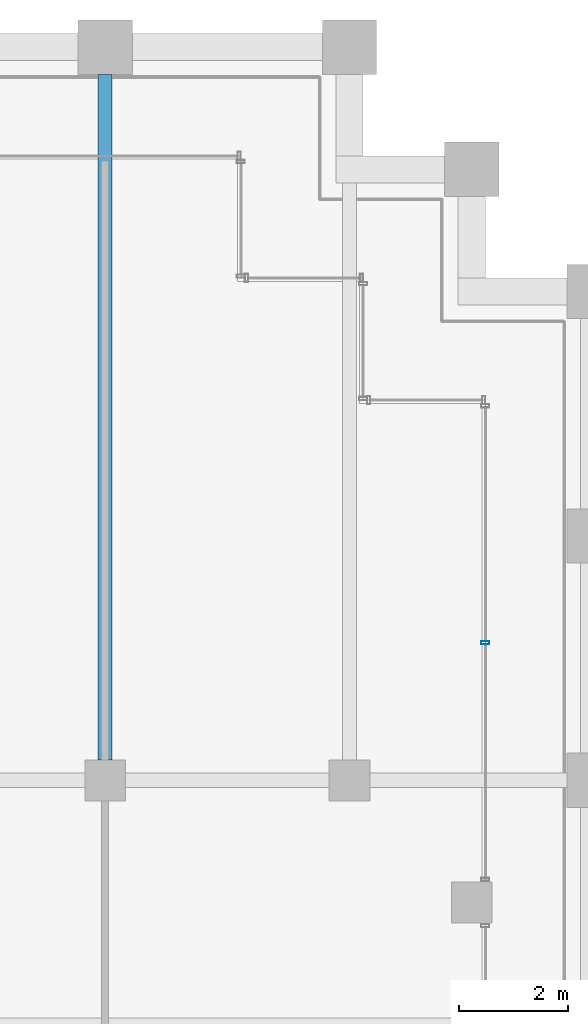
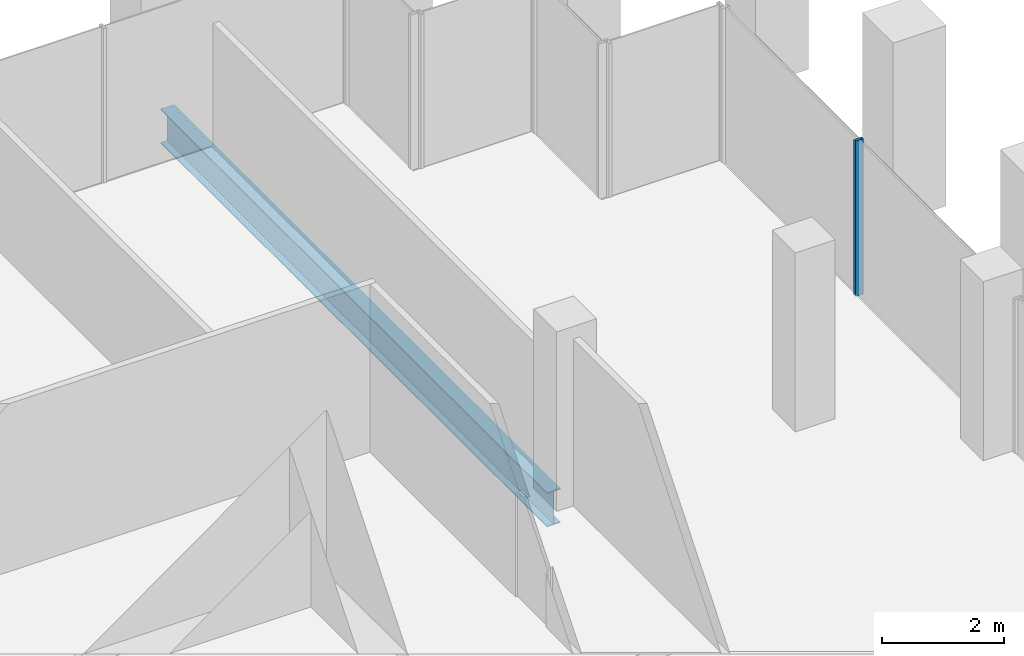
# One storey, part 24 of 45: 1 beam, 1 member, 1 element without a shape of its own.
"""IFC4 building model written with IfcOpenShell, lengths in metres."""

from ifc_helpers import new_model, si_unit, direction, frame, origin, origin_2d, place, context, subcontext, project, spatial, hollow_rectangle, i_section, extrude, material, material_profile, profile_set, type_object, element, aggregate, save


model = new_model("IFC4")

# Units and contexts
model_context = context("Model", 3, precision=1e-05, world=origin(), true_north=direction((0.0, 1.0)))
body_context = subcontext(model_context, "Body", "Model", "MODEL_VIEW")
ifc_project = project(units=[si_unit("LENGTHUNIT", "METRE"), si_unit("AREAUNIT", "SQUARE_METRE"), si_unit("VOLUMEUNIT", "CUBIC_METRE"), si_unit("PLANEANGLEUNIT", "RADIAN"), si_unit("MASSUNIT", "GRAM", prefix="KILO")], contexts=[model_context])

# Site, building, storey
site_placement = place(None, origin())
site = spatial("IfcSite", under=ifc_project, at=site_placement, CompositionType="ELEMENT")
building_placement = place(site_placement, origin())
building = spatial("IfcBuilding", under=site, at=building_placement, Name="Altepetl Exchange Towers", CompositionType="ELEMENT")
storey_placement = place(building_placement, frame((0.0, 0.0, 110.0)))
storey = spatial("IfcBuildingStorey", under=building, at=storey_placement, Name="L27", CompositionType="ELEMENT", Elevation=110.0)

# Beam
ifc_material_1 = material(Name="Steel S355", Category="steel")
ifc_material_profile_1 = material_profile(ifc_material_1, i_section(OverallWidth=0.25390625, OverallDepth=0.68408203125, WebThickness=0.012451171875, FlangeThickness=0.018798828125, at=origin_2d()), Name="W27X94")
ifc_profile_set_1 = profile_set([ifc_material_profile_1], Name="Steel S355")
beam_type = type_object("IfcBeamType", Name="Floor beam W27X94", PredefinedType="BEAM", material=ifc_profile_set_1)
beam_placement = place(storey_placement, frame((63.0, 58.875, -0.491943359375), z_axis=(0.0, 1.0, 0.0), x_axis=(-1.0, 0.0, 0.0)))
element("IfcBeam", 1, at=beam_placement, inside=storey, type_object=beam_type, Name="bm:A:L27:004", PredefinedType="BEAM", context=body_context, shape_type="SweptSolid", body=[
    extrude(i_section(OverallWidth=0.25390625, OverallDepth=0.68408203125, WebThickness=0.012451171875, FlangeThickness=0.018798828125, at=origin_2d()), origin(), (0.0, 0.0, 1.0), 12.625),
])

# Curtain wall, member
ifc_material_2 = material(Name="Aluminium 6063-T6 glazing", Category="aluminium")
curtain_wall_type = type_object("IfcCurtainWallType", Name="Loggia glazing system", PredefinedType="NOTDEFINED", material=ifc_material_2)
curtain_wall_placement = place(storey_placement, origin())
curtain_wall = element("IfcCurtainWall", 2, at=curtain_wall_placement, inside=storey, type_object=curtain_wall_type, Name="CW1 run", PredefinedType="NOTDEFINED")
ifc_material_3 = material(Name="Aluminium 6063-T6", Category="aluminium")
ifc_material_profile_2 = material_profile(ifc_material_3, hollow_rectangle(XDim=0.06005859375, YDim=0.14990234375, WallThickness=0.0029296875, at=origin_2d()), Name="Mullion 60x150 aluminium")
ifc_profile_set_2 = profile_set([ifc_material_profile_2], Name="Aluminium 6063-T6")
member_type = type_object("IfcMemberType", Name="Mullion 60x150 aluminium", PredefinedType="MULLION", material=ifc_profile_set_2)
member_placement = place(storey_placement, frame((70.0, 61.034912109375, 0.0), z_axis=(0.0, 0.0, 1.0), x_axis=(0.0, 1.0, 0.0)))
member = element("IfcMember", 3, at=member_placement, type_object=member_type, Name="MU1 mullion", PredefinedType="MULLION", context=body_context, shape_type="SweptSolid", body=[
    extrude(hollow_rectangle(XDim=0.06005859375, YDim=0.14990234375, WallThickness=0.0029296875, at=origin_2d()), origin(), (0.0, 0.0, 1.0), 3.10009765625),
])
aggregate(curtain_wall, [member])

save(model, "model.ifc")
